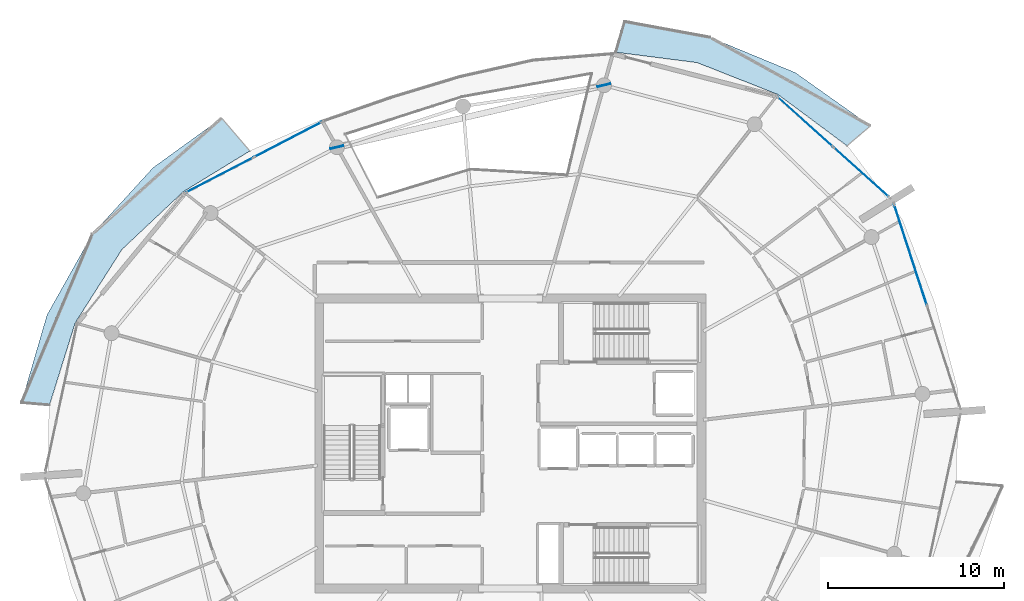
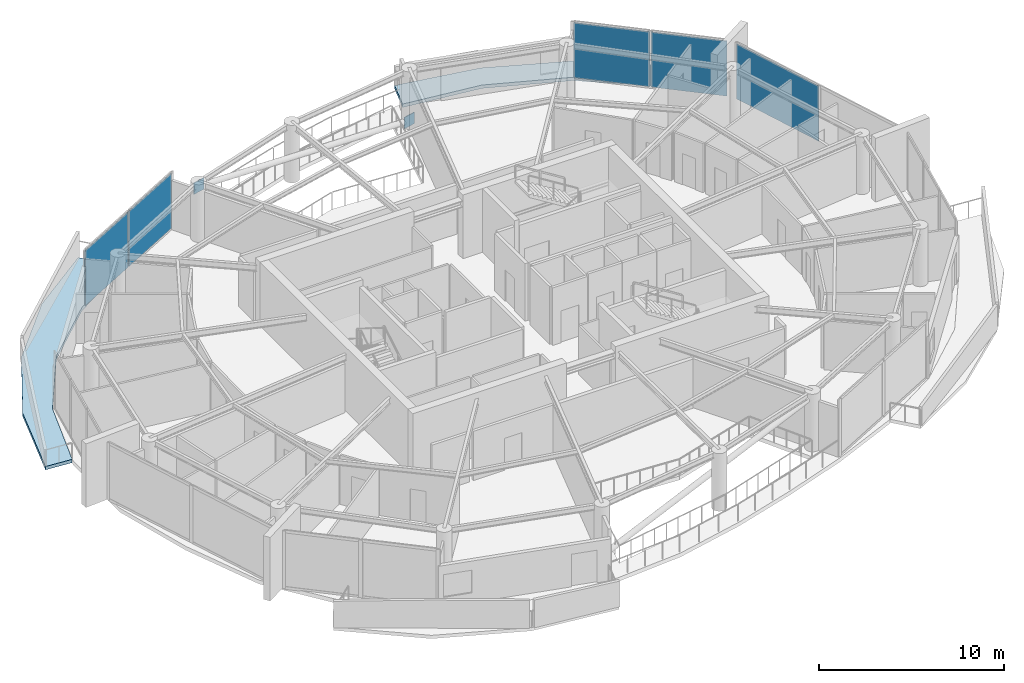
# One storey, part 11 of 21: 7 plates, 2 slabs, 3 elements without a shape of their own.
"""IFC4 building model written with IfcOpenShell, lengths in metres."""

from ifc_helpers import new_model, si_unit, direction, frame, origin, origin_2d, place, context, subcontext, project, spatial, polyline, rectangle, outline, extrude, material, layer, layer_set, type_object, element, aggregate, save


model = new_model("IFC4")

# Units and contexts
model_context = context("Model", 3, precision=1e-05, world=origin(), true_north=direction((0.0, 1.0)))
body_context = subcontext(model_context, "Body", "Model", "MODEL_VIEW")
ifc_project = project(units=[si_unit("LENGTHUNIT", "METRE"), si_unit("AREAUNIT", "SQUARE_METRE"), si_unit("VOLUMEUNIT", "CUBIC_METRE"), si_unit("PLANEANGLEUNIT", "RADIAN"), si_unit("MASSUNIT", "GRAM", prefix="KILO")], contexts=[model_context])

# Site, building, storey
site_placement = place(None, origin())
site = spatial("IfcSite", under=ifc_project, at=site_placement, CompositionType="ELEMENT")
building_placement = place(site_placement, origin())
building = spatial("IfcBuilding", under=site, at=building_placement, Name="Kazma Halo Residences", CompositionType="ELEMENT")
storey_placement = place(building_placement, frame((0.0, 0.0, 338.89990234375)))
storey = spatial("IfcBuildingStorey", under=building, at=storey_placement, Name="L85", CompositionType="ELEMENT", Elevation=338.89990234375)

# Curtain wall, plates
ifc_material_1 = material(Name="Aluminium AW-6063 T6 and Triple-Silver Low-E Glass", Category="aluminium")
ifc_layer_1 = layer(ifc_material_1, 0.239990234375)
ifc_layer_set_1 = layer_set([ifc_layer_1], Name="Aluminium AW-6063 T6 and Triple-Silver Low-E Glass")
curtain_wall_type = type_object("IfcCurtainWallType", Name="CW-SYS-6", PredefinedType="NOTDEFINED", material=ifc_layer_set_1)
curtain_wall_1_placement = place(storey_placement, origin())
curtain_wall_1 = element("IfcCurtainWall", 1, at=curtain_wall_1_placement, inside=storey, type_object=curtain_wall_type, Name="L85 unitised curtain wall B01", PredefinedType="NOTDEFINED")
ifc_material_2 = material(Name="Clear Triple-Silver Low-E Glass IGU", Category="glass")
ifc_layer_2 = layer(ifc_material_2, 0.035888671875)
ifc_layer_set_2 = layer_set([ifc_layer_2], Name="Clear Triple-Silver Low-E Glass IGU")
plate_type_1 = type_object("IfcPlateType", Name="CW-SYS-6-PNL", PredefinedType="CURTAIN_PANEL", material=ifc_layer_set_2)
plate_1_placement = place(storey_placement, frame((68.37646484375, 57.44189453125, 0.080078125), z_axis=(0.0, 0.0, 1.0), x_axis=(-0.744378829791, 0.667757559118, 0.0)))
plate_1 = element("IfcPlate", 2, at=plate_1_placement, type_object=plate_type_1, Name="CWS-6 panel 1.1", PredefinedType="CURTAIN_PANEL", context=body_context, shape_type="SweptSolid", body=[
    extrude(rectangle(XDim=4.19677734375, YDim=0.035888671875, at=origin_2d()), origin(), (0.0, 0.0, 1.0), 3.639892578125),
])
plate_2_placement = place(storey_placement, frame((65.19287109375, 60.297607421875, 0.080078125), z_axis=(0.0, 0.0, 1.0), x_axis=(-0.744378829791, 0.667757559118, 0.0)))
plate_2 = element("IfcPlate", 3, at=plate_2_placement, type_object=plate_type_1, Name="CWS-6 panel 2.1", PredefinedType="CURTAIN_PANEL", context=body_context, shape_type="SweptSolid", body=[
    extrude(rectangle(XDim=4.19677734375, YDim=0.035888671875, at=origin_2d()), origin(), (0.0, 0.0, 1.0), 3.639892578125),
])
aggregate(curtain_wall_1, [plate_1, plate_2])

curtain_wall_2_placement = place(storey_placement, origin())
curtain_wall_2 = element("IfcCurtainWall", 4, at=curtain_wall_2_placement, inside=storey, type_object=curtain_wall_type, Name="L85 unitised curtain wall B05", PredefinedType="NOTDEFINED")
plate_3_placement = place(storey_placement, frame((35.77197265625, 59.286865234375, 0.080078125), z_axis=(0.0, 0.0, 1.0), x_axis=(-0.887506071618, -0.460796020861, 0.0)))
plate_3 = element("IfcPlate", 5, at=plate_3_placement, type_object=plate_type_1, Name="CWS-6 panel 1.1", PredefinedType="CURTAIN_PANEL", context=body_context, shape_type="SweptSolid", body=[
    extrude(rectangle(XDim=4.28662109375, YDim=0.035888671875, at=origin_2d()), origin(), (0.0, 0.0, 1.0), 3.639892578125),
])
plate_4_placement = place(storey_placement, frame((31.896728515625, 57.274658203125, 0.080078125), z_axis=(0.0, 0.0, 1.0), x_axis=(-0.887506071618, -0.460796020861, 0.0)))
plate_4 = element("IfcPlate", 6, at=plate_4_placement, type_object=plate_type_1, Name="CWS-6 panel 2.1", PredefinedType="CURTAIN_PANEL", context=body_context, shape_type="SweptSolid", body=[
    extrude(rectangle(XDim=4.28662109375, YDim=0.035888671875, at=origin_2d()), origin(), (0.0, 0.0, 1.0), 3.639892578125),
])
aggregate(curtain_wall_2, [plate_3, plate_4])

# Curtain wall, plate
curtain_wall_3_placement = place(storey_placement, origin())
curtain_wall_3 = element("IfcCurtainWall", 7, at=curtain_wall_3_placement, inside=storey, type_object=curtain_wall_type, Name="L85 unitised curtain wall B16", PredefinedType="NOTDEFINED")
plate_5_placement = place(storey_placement, frame((71.18408203125, 52.7255859375, 0.080078125), z_axis=(0.0, 0.0, 1.0), x_axis=(-0.309018932797, 0.951055886462, 0.0)))
plate_5 = element("IfcPlate", 8, at=plate_5_placement, type_object=plate_type_1, Name="CWS-6 panel 2.1", PredefinedType="CURTAIN_PANEL", context=body_context, shape_type="SweptSolid", body=[
    extrude(rectangle(XDim=5.99267578125, YDim=0.035888671875, at=origin_2d()), origin(), (0.0, 0.0, 1.0), 3.639892578125),
])
aggregate(curtain_wall_3, [plate_5])

# Plates
ifc_material_3 = material(Name="Steel S355", Category="steel")
ifc_layer_3 = layer(ifc_material_3, 0.0400390625)
ifc_layer_set_3 = layer_set([ifc_layer_3], Name="Steel S355")
plate_type_2 = type_object("IfcPlateType", Name="PLT-GUSSET-40", PredefinedType="SHEET", material=ifc_layer_set_3)
for number, where, z_axis, x_axis, name in (
    (9, (53.74658203125, 62.37646484375, -0.074951171875), (0.0, 0.0, 1.0), (-0.974083647521, -0.226188080216, 0.0), "L85 wind-portal lower gusset NNW"),
    (10, (38.563232421875, 58.8505859375, 3.045166015625), (0.0, 0.0, 1.0), (-0.974083647521, -0.226188080216, 0.0), "L85 wind-portal upper gusset NNW"),
):
    element("IfcPlate", number, at=place(storey_placement, frame(where, z_axis=z_axis, x_axis=x_axis)), inside=storey, type_object=plate_type_2, Name=name, PredefinedType="SHEET", context=body_context, shape_type="SweptSolid", body=[
        extrude(rectangle(XDim=0.75, YDim=0.0400390625, at=origin_2d()), origin(), (0.0, 0.0, 1.0), 0.75),
    ])

# Slabs
ifc_material_4 = material(Name="White Concrete C50/60", Category="concrete")
ifc_layer_4 = layer(ifc_material_4, 0.219970703125)
ifc_layer_set_4 = layer_set([ifc_layer_4], Name="White Concrete C50/60")
slab_type = type_object("IfcSlabType", Name="SLB-BAL-WAVE-210", PredefinedType="FLOOR", material=ifc_layer_set_4)
slab_1_placement = place(storey_placement, frame((0.0, 0.0, -0.219970703125)))
element("IfcSlab", 11, at=slab_1_placement, inside=storey, type_object=slab_type, Name="L85 NE cantilevered wave balcony slab", PredefinedType="FLOOR", context=body_context, shape_type="SweptSolid", body=[
    extrude(outline(polyline([(67.578369140625, 58.929443359375), (63.64697265625, 61.847900390625), (59.038818359375, 63.664794921875), (54.42333984375, 64.254150390625), (54.927001953125, 65.99951171875), (59.773193359375, 65.106201171875), (64.6298828125, 63.09521484375), (68.89697265625, 60.069580078125), (67.578369140625, 58.929443359375)])), origin(), (0.0, 0.0, 1.0), 0.219970703125),
])
slab_2_placement = place(storey_placement, frame((0.0, 0.0, -0.219970703125)))
element("IfcSlab", 12, at=slab_2_placement, inside=storey, type_object=slab_type, Name="L85 NW cantilevered wave balcony slab", PredefinedType="FLOOR", context=body_context, shape_type="SweptSolid", body=[
    extrude(outline(polyline([(33.61181640625, 58.639404296875), (29.82763671875, 56.325927734375), (26.335205078125, 53.038818359375), (23.675048828125, 48.8603515625), (22.2099609375, 44.188232421875), (20.6181640625, 44.323486328125), (22.072021484375, 49.3125), (24.643310546875, 53.90087890625), (28.1005859375, 57.6875), (31.996826171875, 60.507080078125), (33.61181640625, 58.639404296875)])), origin(), (0.0, 0.0, 1.0), 0.219970703125),
])

save(model, "model.ifc")
